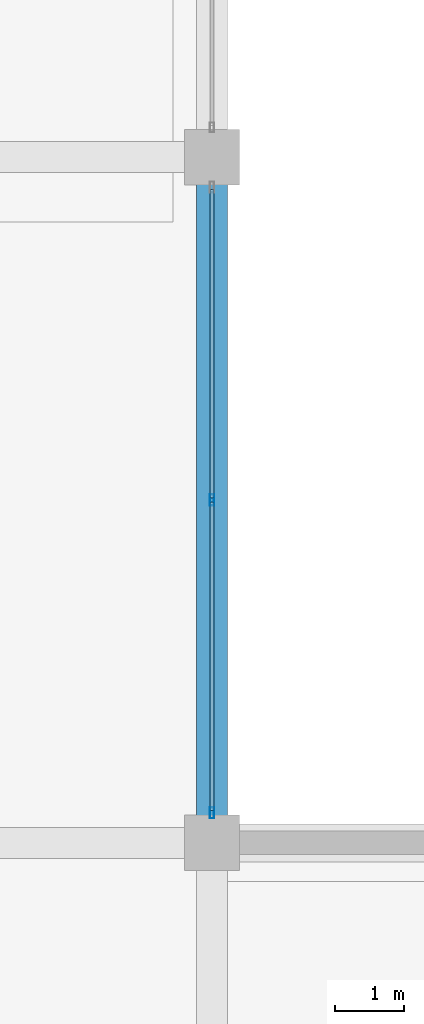
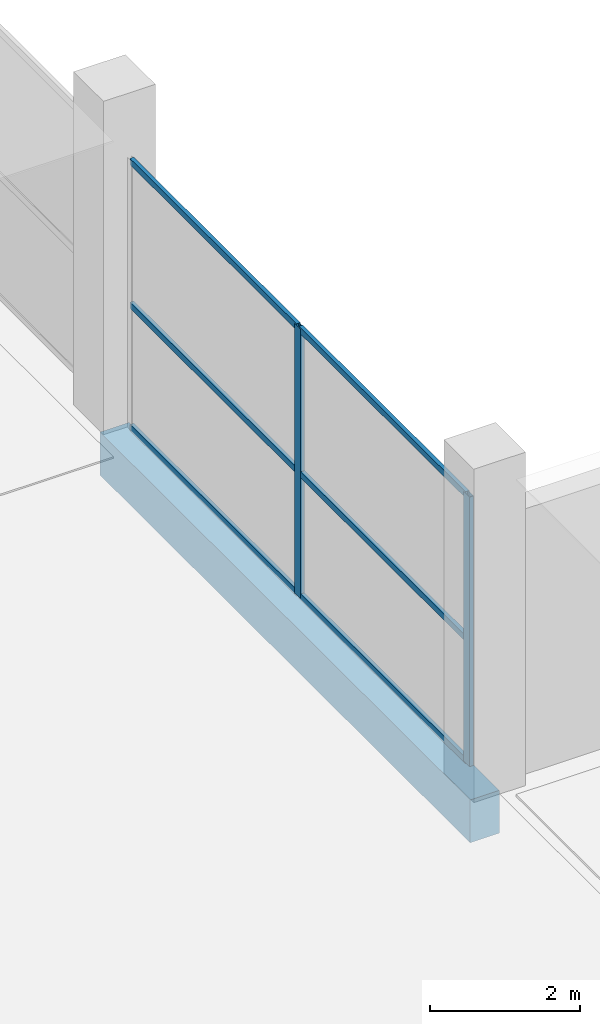
# One storey, part 10 of 74: 8 members, 1 beam, 1 element without a shape of its own.
"""IFC4 building model written with IfcOpenShell, lengths in metres."""

from ifc_helpers import new_model, si_unit, direction, frame, origin, origin_2d, place, context, subcontext, project, spatial, rectangle, hollow_rectangle, extrude, material, layer, layer_set, material_profile, profile_set, type_object, element, aggregate, save


model = new_model("IFC4")

# Units and contexts
model_context = context("Model", 3, precision=1e-05, world=origin(), true_north=direction((0.0, 1.0)))
body_context = subcontext(model_context, "Body", "Model", "MODEL_VIEW")
ifc_project = project(units=[si_unit("LENGTHUNIT", "METRE"), si_unit("AREAUNIT", "SQUARE_METRE"), si_unit("VOLUMEUNIT", "CUBIC_METRE"), si_unit("PLANEANGLEUNIT", "RADIAN"), si_unit("MASSUNIT", "GRAM", prefix="KILO")], contexts=[model_context])

# Site, building, storey
site_placement = place(None, origin())
site = spatial("IfcSite", under=ifc_project, at=site_placement, CompositionType="ELEMENT")
building_placement = place(site_placement, origin())
building = spatial("IfcBuilding", under=site, at=building_placement, Name="Sillaruma Civic Art Gallery", CompositionType="ELEMENT")
storey_placement = place(building_placement, frame((0.0, 0.0, 5.43994140625)))
storey = spatial("IfcBuildingStorey", under=building, at=storey_placement, Name="L01", CompositionType="ELEMENT", Elevation=5.43994140625)

# Beam
ifc_material_1 = material(Name="Concrete H35 (35 MPa)", Category="concrete")
ifc_material_profile_1 = material_profile(ifc_material_1, rectangle(XDim=0.449951171875, YDim=0.699951171875, at=origin_2d()), Name="RCB450x700")
ifc_profile_set_1 = profile_set([ifc_material_profile_1], Name="Concrete H35 (35 MPa)")
beam_type = type_object("IfcBeamType", Name="BM-SPANDREL-RCB450x700", PredefinedType="SPANDREL", material=ifc_profile_set_1)
beam_placement = place(storey_placement, frame((114.39990234375, 39.60009765625, -0.60986328125), z_axis=(0.0, 1.0, 0.0), x_axis=(-1.0, 0.0, 0.0)))
element("IfcBeam", 1, at=beam_placement, inside=storey, type_object=beam_type, Name="Beam BS-03 (L00:N:5-6)", PredefinedType="SPANDREL", context=body_context, shape_type="SweptSolid", body=[
    extrude(rectangle(XDim=0.449951171875, YDim=0.699951171875, at=origin_2d()), origin(), (0.0, 0.0, 1.0), 9.89990234375),
])

# Curtain wall, members
ifc_material_2 = material(Name="Thermally Broken Extruded Aluminium 6063-T6", Category="aluminium")
ifc_layer = layer(ifc_material_2, 0.159912109375, Name="Thermally Broken Extruded Aluminium 6063-T6")
ifc_layer_set = layer_set([ifc_layer], Name="Thermally Broken Extruded Aluminium 6063-T6")
curtain_wall_type = type_object("IfcCurtainWallType", Name="CW-UNI-14", PredefinedType="NOTDEFINED", material=ifc_layer_set)
curtain_wall_placement = place(storey_placement, origin())
curtain_wall = element("IfcCurtainWall", 2, at=curtain_wall_placement, inside=storey, type_object=curtain_wall_type, Name="Unitised Curtain Wall CW-14 (CW-L01-SPE-3)", PredefinedType="NOTDEFINED")
ifc_material_profile_2 = material_profile(ifc_material_2, hollow_rectangle(XDim=0.06494140625, YDim=0.159912109375, WallThickness=0.00390625, at=origin_2d()), Name="CWM65x160")
ifc_profile_set_2 = profile_set([ifc_material_profile_2], Name="Thermally Broken Extruded Aluminium 6063-T6")
member_type_1 = type_object("IfcMemberType", Name="MEM-MUL-CWM65x160", PredefinedType="MULLION", material=ifc_profile_set_2)
member_1_placement = place(storey_placement, frame((114.39990234375, 40.032470703125, 0.0), z_axis=(0.0, 0.0, 1.0), x_axis=(-1.0, 0.0, 0.0)))
member_1 = element("IfcMember", 3, at=member_1_placement, type_object=member_type_1, Name="CW-14 mullion 1", PredefinedType="MULLION", context=body_context, shape_type="SweptSolid", body=[
    extrude(hollow_rectangle(XDim=0.06494140625, YDim=0.159912109375, WallThickness=0.00390625, at=origin_2d()), origin(), (0.0, 0.0, 1.0), 4.400146484375),
])
member_2_placement = place(storey_placement, frame((114.39990234375, 44.550048828125, 0.0), z_axis=(0.0, 0.0, 1.0), x_axis=(-1.0, 0.0, 0.0)))
member_2 = element("IfcMember", 4, at=member_2_placement, type_object=member_type_1, Name="CW-14 mullion 2", PredefinedType="MULLION", context=body_context, shape_type="SweptSolid", body=[
    extrude(hollow_rectangle(XDim=0.06494140625, YDim=0.159912109375, WallThickness=0.00390625, at=origin_2d()), origin(), (0.0, 0.0, 1.0), 4.400146484375),
])
ifc_material_profile_3 = material_profile(ifc_material_2, hollow_rectangle(XDim=0.06005859375, YDim=0.10009765625, WallThickness=0.003173828125, at=origin_2d()), Name="CWT60x100")
ifc_profile_set_3 = profile_set([ifc_material_profile_3], Name="Thermally Broken Extruded Aluminium 6063-T6")
member_type_2 = type_object("IfcMemberType", Name="MEM-TRN-CWT60x100", PredefinedType="USERDEFINED", material=ifc_profile_set_3)
member_3_placement = place(storey_placement, frame((114.39990234375, 40.06494140625, 0.030029296875), z_axis=(0.0, 1.0, 0.0), x_axis=(-1.0, 0.0, 0.0)))
member_3 = element("IfcMember", 5, at=member_3_placement, type_object=member_type_2, Name="CW-14 transom 1.1", ObjectType="TRANSOM", PredefinedType="USERDEFINED", context=body_context, shape_type="SweptSolid", body=[
    extrude(hollow_rectangle(XDim=0.06005859375, YDim=0.10009765625, WallThickness=0.003173828125, at=origin_2d()), origin(), (0.0, 0.0, 1.0), 4.45263671875),
])
member_4_placement = place(storey_placement, frame((114.39990234375, 40.06494140625, 2.024169921875), z_axis=(0.0, 1.0, 0.0), x_axis=(-1.0, 0.0, 0.0)))
member_4 = element("IfcMember", 6, at=member_4_placement, type_object=member_type_2, Name="CW-14 transom 1.2", ObjectType="TRANSOM", PredefinedType="USERDEFINED", context=body_context, shape_type="SweptSolid", body=[
    extrude(hollow_rectangle(XDim=0.06005859375, YDim=0.10009765625, WallThickness=0.003173828125, at=origin_2d()), origin(), (0.0, 0.0, 1.0), 4.45263671875),
])
member_5_placement = place(storey_placement, frame((114.39990234375, 40.06494140625, 4.3701171875), z_axis=(0.0, 1.0, 0.0), x_axis=(-1.0, 0.0, 0.0)))
member_5 = element("IfcMember", 7, at=member_5_placement, type_object=member_type_2, Name="CW-14 transom 1.3", ObjectType="TRANSOM", PredefinedType="USERDEFINED", context=body_context, shape_type="SweptSolid", body=[
    extrude(hollow_rectangle(XDim=0.06005859375, YDim=0.10009765625, WallThickness=0.003173828125, at=origin_2d()), origin(), (0.0, 0.0, 1.0), 4.45263671875),
])
member_6_placement = place(storey_placement, frame((114.39990234375, 44.58251953125, 0.030029296875), z_axis=(0.0, 1.0, 0.0), x_axis=(-1.0, 0.0, 0.0)))
member_6 = element("IfcMember", 8, at=member_6_placement, type_object=member_type_2, Name="CW-14 transom 2.1", ObjectType="TRANSOM", PredefinedType="USERDEFINED", context=body_context, shape_type="SweptSolid", body=[
    extrude(hollow_rectangle(XDim=0.06005859375, YDim=0.10009765625, WallThickness=0.003173828125, at=origin_2d()), origin(), (0.0, 0.0, 1.0), 4.452392578125),
])
member_7_placement = place(storey_placement, frame((114.39990234375, 44.58251953125, 2.024169921875), z_axis=(0.0, 1.0, 0.0), x_axis=(-1.0, 0.0, 0.0)))
member_7 = element("IfcMember", 9, at=member_7_placement, type_object=member_type_2, Name="CW-14 transom 2.2", ObjectType="TRANSOM", PredefinedType="USERDEFINED", context=body_context, shape_type="SweptSolid", body=[
    extrude(hollow_rectangle(XDim=0.06005859375, YDim=0.10009765625, WallThickness=0.003173828125, at=origin_2d()), origin(), (0.0, 0.0, 1.0), 4.452392578125),
])
member_8_placement = place(storey_placement, frame((114.39990234375, 44.58251953125, 4.3701171875), z_axis=(0.0, 1.0, 0.0), x_axis=(-1.0, 0.0, 0.0)))
member_8 = element("IfcMember", 10, at=member_8_placement, type_object=member_type_2, Name="CW-14 transom 2.3", ObjectType="TRANSOM", PredefinedType="USERDEFINED", context=body_context, shape_type="SweptSolid", body=[
    extrude(hollow_rectangle(XDim=0.06005859375, YDim=0.10009765625, WallThickness=0.003173828125, at=origin_2d()), origin(), (0.0, 0.0, 1.0), 4.452392578125),
])
aggregate(curtain_wall, [member_1, member_2, member_3, member_4, member_5, member_6, member_7, member_8])

save(model, "model.ifc")
